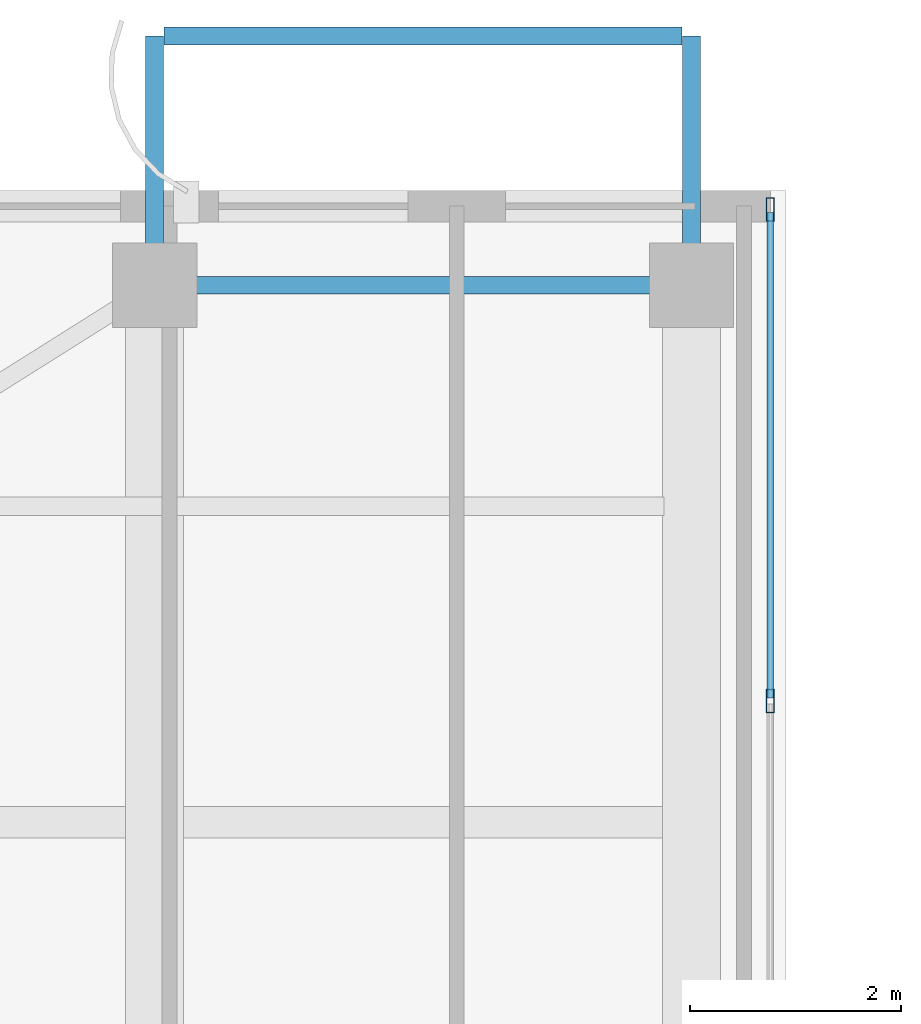
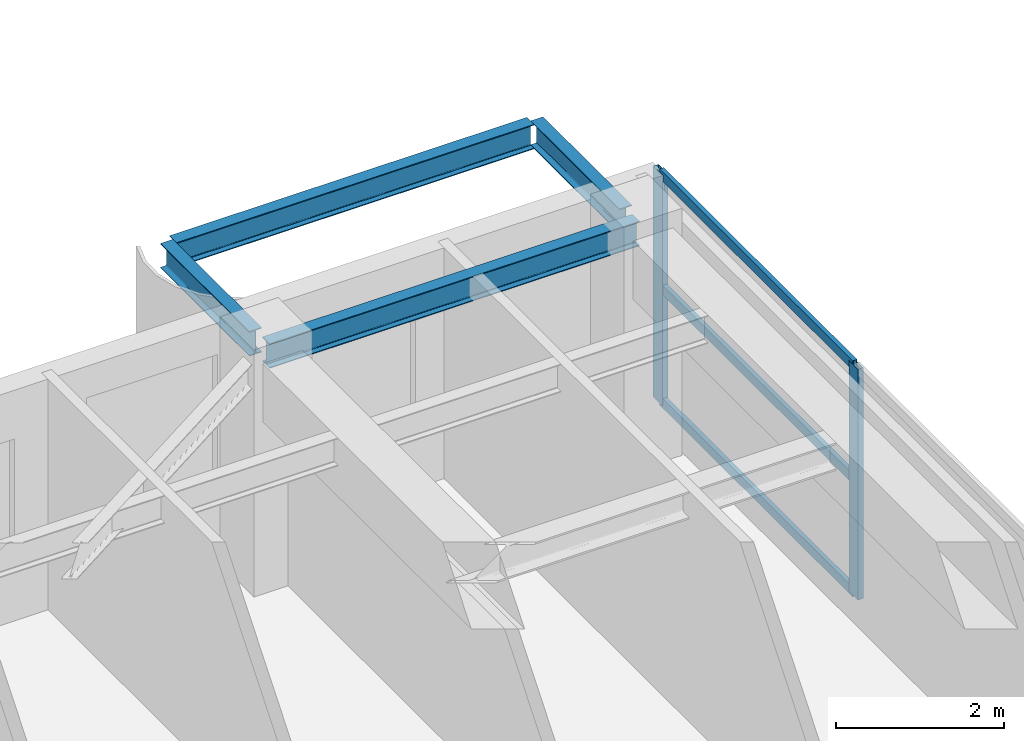
# One storey, part 14 of 22: 5 members, 4 beams, 1 element without a shape of its own.
"""IFC4 building model written with IfcOpenShell, lengths in metres."""

from ifc_helpers import new_model, si_unit, direction, frame, origin, origin_2d, place, context, subcontext, project, spatial, hollow_rectangle, i_section, extrude, source, transform, mapped, material, layer, layer_set, material_profile, profile_set, type_object, element, aggregate, save


model = new_model("IFC4")

# Units and contexts
model_context = context("Model", 3, precision=1e-05, world=origin(), true_north=direction((0.0, 1.0)))
body_context = subcontext(model_context, "Body", "Model", "MODEL_VIEW")
ifc_project = project(units=[si_unit("LENGTHUNIT", "METRE"), si_unit("AREAUNIT", "SQUARE_METRE"), si_unit("VOLUMEUNIT", "CUBIC_METRE"), si_unit("PLANEANGLEUNIT", "RADIAN"), si_unit("MASSUNIT", "GRAM", prefix="KILO")], contexts=[model_context])

# Site, building, storey
site_placement = place(None, origin())
site = spatial("IfcSite", under=ifc_project, at=site_placement, CompositionType="ELEMENT")
building_placement = place(site_placement, origin())
building = spatial("IfcBuilding", under=site, at=building_placement, Name="Khoralis Quay Care Tower", CompositionType="ELEMENT")
storey_placement = place(building_placement, frame((0.0, 0.0, 256.5)))
storey = spatial("IfcBuildingStorey", under=building, at=storey_placement, Name="L67", CompositionType="ELEMENT", Elevation=256.5)

# Beams
ifc_material_1 = material(Name="Steel S355", Category="steel")
ifc_material_profile_1 = material_profile(ifc_material_1, i_section(OverallWidth=0.169921875, OverallDepth=0.360107421875, WebThickness=0.008056640625, FlangeThickness=0.0126953125, FilletRadius=0.01806640625, at=origin_2d()), Name="Steel S355")
ifc_profile_set_1 = profile_set([ifc_material_profile_1], Name="Steel S355")
beam_type = type_object("IfcBeamType", Name="BM-IPE360", PredefinedType="SPANDREL", material=ifc_profile_set_1)
shared_shape_1 = source(origin(), body_context, "Body", "SweptSolid", [
    extrude(i_section(OverallWidth=0.169921875, OverallDepth=0.360107421875, WebThickness=0.008056640625, FlangeThickness=0.0126953125, FilletRadius=0.01806640625, at=origin_2d()), origin(), (0.0, 0.0, 1.0), 5.10009765625),
])
beam_1_placement = place(storey_placement, frame((12.0, 41.10009765625, 3.179931640625), z_axis=(1.0, 0.0, 0.0), x_axis=(0.0, 1.0, 0.0)))
element("IfcBeam", 1, at=beam_1_placement, inside=storey, type_object=beam_type, Name="BM-TSP-L67-03", PredefinedType="SPANDREL", context=body_context, shape_type="MappedRepresentation", body=[
    mapped(shared_shape_1, transform((0.0, 0.0, 0.0), scale=1.0)),
])
shared_shape_2 = source(origin(), body_context, "Body", "SweptSolid", [
    extrude(i_section(OverallWidth=0.169921875, OverallDepth=0.360107421875, WebThickness=0.008056640625, FlangeThickness=0.0126953125, FilletRadius=0.01806640625, at=origin_2d()), origin(), (0.0, 0.0, 1.0), 2.119873046875),
])
for number, where, z_axis, x_axis, name in (
    (2, (12.0, 41.35009765625, 3.18408203125), (0.0, 1.0, 0.0), (-1.0, 0.0, 0.0), "L68 Balcony Cantilever Outrigger Beam 1"),
    (3, (17.10009765625, 41.35009765625, 3.18408203125), (0.0, 1.0, 0.0), (-1.0, 0.0, 0.0), "L68 Balcony Cantilever Outrigger Beam 2"),
):
    element("IfcBeam", number, at=place(storey_placement, frame(where, z_axis=z_axis, x_axis=x_axis)), inside=storey, type_object=beam_type, Name=name, PredefinedType="SPANDREL", context=body_context, shape_type="MappedRepresentation", body=[
        mapped(shared_shape_2, transform((0.0, 0.0, 0.0), scale=1.0)),
    ])

# Curtain wall, members
ifc_material_2 = material(Name="Pale anodised aluminium", Category="aluminium")
ifc_layer = layer(ifc_material_2, 0.18994140625)
ifc_layer_set = layer_set([ifc_layer], Name="Pale anodised aluminium")
curtain_wall_type = type_object("IfcCurtainWallType", Name="CW-SYS-PORTAL", PredefinedType="NOTDEFINED", material=ifc_layer_set)
curtain_wall_placement = place(storey_placement, origin())
curtain_wall = element("IfcCurtainWall", 4, at=curtain_wall_placement, inside=storey, type_object=curtain_wall_type, Name="L67 Unitised Curtain Wall CW-VP-L67-P1-N", PredefinedType="NOTDEFINED")
ifc_material_profile_2 = material_profile(ifc_material_2, hollow_rectangle(XDim=0.06005859375, YDim=0.139892578125, WallThickness=0.00390625, at=origin_2d()), Name="Pale anodised aluminium")
ifc_profile_set_2 = profile_set([ifc_material_profile_2], Name="Pale anodised aluminium")
member_type_1 = type_object("IfcMemberType", Name="CW-TRN-140", PredefinedType="USERDEFINED", material=ifc_profile_set_2)
shared_shape_3 = source(origin(), body_context, "Body", "SweptSolid", [
    extrude(hollow_rectangle(XDim=0.06005859375, YDim=0.139892578125, WallThickness=0.00390625, at=origin_2d()), origin(), (0.0, 0.0, 1.0), 4.610107421875),
])
member_1_placement = place(storey_placement, frame((17.85009765625, 37.179931640625, 0.030029296875), z_axis=(0.0, 1.0, 0.0), x_axis=(-1.0, 0.0, 0.0)))
member_1 = element("IfcMember", 5, at=member_1_placement, type_object=member_type_1, Name="CW4 transom 3.1", ObjectType="TRANSOM", PredefinedType="USERDEFINED", context=body_context, shape_type="MappedRepresentation", body=[
    mapped(shared_shape_3, transform((0.0, 0.0, 0.0), scale=1.0)),
])
member_2_placement = place(storey_placement, frame((17.85009765625, 37.179931640625, 1.679931640625), z_axis=(0.0, 1.0, 0.0), x_axis=(-1.0, 0.0, 0.0)))
member_2 = element("IfcMember", 6, at=member_2_placement, type_object=member_type_1, Name="CW4 transom 3.2", ObjectType="TRANSOM", PredefinedType="USERDEFINED", context=body_context, shape_type="MappedRepresentation", body=[
    mapped(shared_shape_3, transform((0.0, 0.0, 0.0), scale=1.0)),
])
member_3_placement = place(storey_placement, frame((17.85009765625, 37.179931640625, 3.330078125), z_axis=(0.0, 1.0, 0.0), x_axis=(-1.0, 0.0, 0.0)))
member_3 = element("IfcMember", 7, at=member_3_placement, type_object=member_type_1, Name="CW4 transom 3.3", ObjectType="TRANSOM", PredefinedType="USERDEFINED", context=body_context, shape_type="MappedRepresentation", body=[
    mapped(shared_shape_3, transform((0.0, 0.0, 0.0), scale=1.0)),
])
ifc_material_profile_3 = material_profile(ifc_material_2, hollow_rectangle(XDim=0.074951171875, YDim=0.219970703125, WallThickness=0.00390625, at=origin_2d()), Name="Pale anodised aluminium")
ifc_profile_set_3 = profile_set([ifc_material_profile_3], Name="Pale anodised aluminium")
member_type_2 = type_object("IfcMemberType", Name="CW-MUL-220", PredefinedType="MULLION", material=ifc_profile_set_3)
shared_shape_4 = source(origin(), body_context, "Body", "SweptSolid", [
    extrude(hollow_rectangle(XDim=0.074951171875, YDim=0.219970703125, WallThickness=0.00390625, at=origin_2d()), origin(), (0.0, 0.0, 1.0), 3.360107421875),
])
member_4_placement = place(storey_placement, frame((17.85009765625, 37.14990234375, 0.0), z_axis=(0.0, 0.0, 1.0), x_axis=(-1.0, 0.0, 0.0)))
member_4 = element("IfcMember", 8, at=member_4_placement, type_object=member_type_2, Name="CW4 mullion 3", PredefinedType="MULLION", context=body_context, shape_type="MappedRepresentation", body=[
    mapped(shared_shape_4, transform((0.0, 0.0, 0.0), scale=1.0)),
])
member_5_placement = place(storey_placement, frame((17.85009765625, 41.820068359375, 0.0), z_axis=(0.0, 0.0, 1.0), x_axis=(-1.0, 0.0, 0.0)))
member_5 = element("IfcMember", 9, at=member_5_placement, type_object=member_type_2, Name="CW4 mullion 4", PredefinedType="MULLION", context=body_context, shape_type="MappedRepresentation", body=[
    mapped(shared_shape_4, transform((0.0, 0.0, 0.0), scale=1.0)),
])
aggregate(curtain_wall, [member_4, member_5, member_1, member_2, member_3])

# Beam
shared_shape_5 = source(origin(), body_context, "Body", "SweptSolid", [
    extrude(i_section(OverallWidth=0.169921875, OverallDepth=0.360107421875, WebThickness=0.008056640625, FlangeThickness=0.0126953125, FilletRadius=0.01806640625, at=origin_2d()), origin(), (0.0, 0.0, 1.0), 4.924072265625),
])
beam_2_placement = place(storey_placement, frame((12.087890625, 43.469970703125, 3.18408203125), z_axis=(1.0, 0.0, 0.0), x_axis=(0.0, 1.0, 0.0)))
element("IfcBeam", 10, at=beam_2_placement, inside=storey, type_object=beam_type, Name="L68 Balcony Edge Spandrel Beam P1E2", PredefinedType="SPANDREL", context=body_context, shape_type="MappedRepresentation", body=[
    mapped(shared_shape_5, transform((0.0, 0.0, 0.0), scale=1.0)),
])

save(model, "model.ifc")
